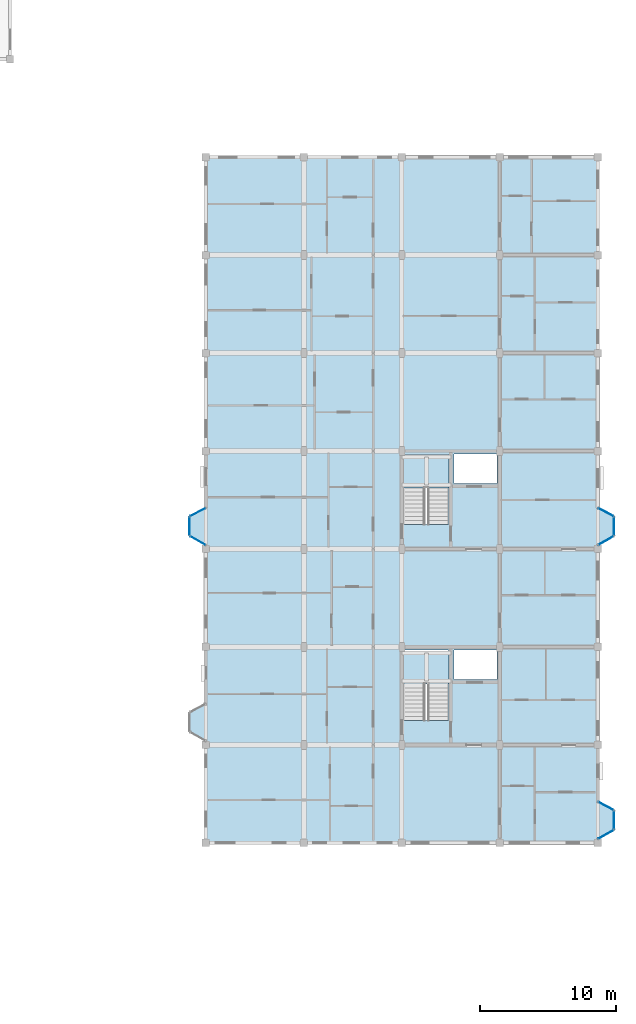
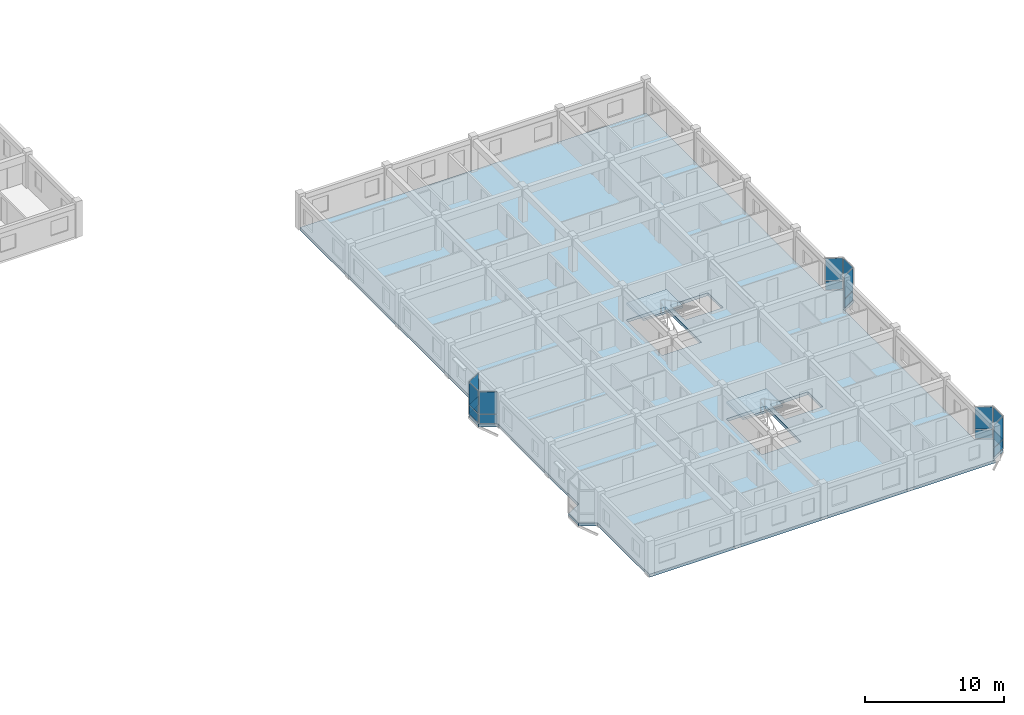
# One storey, part 48 of 77: 18 plates, 3 slabs, 11 elements without a shape of their own.
"""IFC4 building model written with IfcOpenShell, lengths in metres."""

from ifc_helpers import new_model, si_unit, direction, frame, origin, origin_2d, place, context, subcontext, project, spatial, polyline, rectangle, outline, extrude, material, layer, layer_set, type_object, element, aggregate, save


model = new_model("IFC4")

# Units and contexts
model_context = context("Model", 3, precision=1e-05, world=origin(), true_north=direction((0.0, 1.0)))
body_context = subcontext(model_context, "Body", "Model", "MODEL_VIEW")
ifc_project = project(units=[si_unit("LENGTHUNIT", "METRE"), si_unit("AREAUNIT", "SQUARE_METRE"), si_unit("VOLUMEUNIT", "CUBIC_METRE"), si_unit("PLANEANGLEUNIT", "RADIAN"), si_unit("MASSUNIT", "GRAM", prefix="KILO"), si_unit("THERMODYNAMICTEMPERATUREUNIT", "KELVIN"), si_unit("POWERUNIT", "WATT")], contexts=[model_context])

# Site, building, storey
site_placement = place(None, origin())
site = spatial("IfcSite", under=ifc_project, at=site_placement, CompositionType="ELEMENT")
building_placement = place(site_placement, origin())
building = spatial("IfcBuilding", under=site, at=building_placement, Name="Tavuni Mirador Residences", CompositionType="ELEMENT")
storey_placement = place(building_placement, frame((0.0, 0.0, 17.10009765625)))
storey = spatial("IfcBuildingStorey", under=building, at=storey_placement, Name="L05", CompositionType="ELEMENT", Elevation=17.10009765625)

# Curtain wall, plate
ifc_material_1 = material(Name="Anodised aluminium", Category="aluminium")
ifc_layer_1 = layer(ifc_material_1, 0.1650390625, Name="Anodised aluminium", Category="aluminium")
ifc_layer_set_1 = layer_set([ifc_layer_1], Name="Anodised aluminium")
curtain_wall_type_1 = type_object("IfcCurtainWallType", Name="CWT-MIR-A", PredefinedType="NOTDEFINED", material=ifc_layer_set_1)
curtain_wall_1_placement = place(storey_placement, origin())
curtain_wall_1 = element("IfcCurtainWall", 1, at=curtain_wall_1_placement, inside=storey, type_object=curtain_wall_type_1, Name="CW-MIR-D-E1-L05-M2", PredefinedType="NOTDEFINED")
ifc_material_2 = material(Name="Laminated solar-control glass", Category="glass")
ifc_layer_2 = layer(ifc_material_2, 0.02392578125, Name="Laminated solar-control glass", Category="glass")
ifc_layer_set_2 = layer_set([ifc_layer_2], Name="Laminated solar-control glass")
plate_type_1 = type_object("IfcPlateType", Name="CWP-GL24", PredefinedType="CURTAIN_PANEL", material=ifc_layer_set_2)
plate_1_placement = place(storey_placement, frame((119.39990234375, 89.10009765625, 0.8798828125), z_axis=(0.0, 0.0, 1.0), x_axis=(-0.882352941175, 0.470588235296, 0.0)))
plate_1 = element("IfcPlate", 2, at=plate_1_placement, type_object=plate_type_1, Name="CW-01 panel 1.2", PredefinedType="CURTAIN_PANEL", context=body_context, shape_type="SweptSolid", body=[
    extrude(rectangle(XDim=1.239990234375, YDim=0.02392578125, at=origin_2d()), origin(), (0.0, 0.0, 1.0), 1.949951171875),
])

curtain_wall_2_placement = place(storey_placement, origin())
curtain_wall_2 = element("IfcCurtainWall", 3, at=curtain_wall_2_placement, inside=storey, type_object=curtain_wall_type_1, Name="CW-MIR-D-W2-L05-M1", PredefinedType="NOTDEFINED")
plate_2_placement = place(storey_placement, frame((89.39990234375, 110.699951171875, 0.8798828125), z_axis=(0.0, 0.0, 1.0), x_axis=(-0.882352941175, -0.470588235296, 0.0)))
plate_2 = element("IfcPlate", 4, at=plate_2_placement, type_object=plate_type_1, Name="CW-01 panel 1.2", PredefinedType="CURTAIN_PANEL", context=body_context, shape_type="SweptSolid", body=[
    extrude(rectangle(XDim=1.239990234375, YDim=0.02392578125, at=origin_2d()), origin(), (0.0, 0.0, 1.0), 1.949951171875),
])

ifc_layer_3 = layer(ifc_material_1, 0.14990234375, Name="Anodised aluminium", Category="aluminium")
ifc_layer_set_3 = layer_set([ifc_layer_3], Name="Anodised aluminium")
curtain_wall_type_2 = type_object("IfcCurtainWallType", Name="CWT-MIR-B", PredefinedType="NOTDEFINED", material=ifc_layer_set_3)
curtain_wall_3_placement = place(storey_placement, origin())
curtain_wall_3 = element("IfcCurtainWall", 5, at=curtain_wall_3_placement, inside=storey, type_object=curtain_wall_type_2, Name="CW-MIR-D-E2-L05-M1", PredefinedType="NOTDEFINED")
ifc_layer_4 = layer(ifc_material_2, 0.028076171875, Name="Laminated solar-control glass", Category="glass")
ifc_layer_set_4 = layer_set([ifc_layer_4], Name="Laminated solar-control glass")
plate_type_2 = type_object("IfcPlateType", Name="CWP-GL28", PredefinedType="CURTAIN_PANEL", material=ifc_layer_set_4)
plate_3_placement = place(storey_placement, frame((119.39990234375, 108.617431640625, 0.882568359375), z_axis=(0.0, 0.0, 1.0), x_axis=(0.868465738194, 0.495749192217, 0.0)))
plate_3 = element("IfcPlate", 6, at=plate_3_placement, type_object=plate_type_2, Name="CW-02 panel 1.2", PredefinedType="CURTAIN_PANEL", context=body_context, shape_type="SweptSolid", body=[
    extrude(rectangle(XDim=1.251708984375, YDim=0.028076171875, at=origin_2d()), origin(), (0.0, 0.0, 1.0), 1.9423828125),
])

curtain_wall_4_placement = place(storey_placement, origin())
curtain_wall_4 = element("IfcCurtainWall", 7, at=curtain_wall_4_placement, inside=storey, type_object=curtain_wall_type_2, Name="CW-MIR-D-W2-L05-MF", PredefinedType="NOTDEFINED")
plate_4_placement = place(storey_placement, frame((88.800048828125, 109.669921875, 0.882568359375), z_axis=(0.0, 0.0, 1.0), x_axis=(0.0, -1.0, 0.0)))
plate_4 = element("IfcPlate", 8, at=plate_4_placement, type_object=plate_type_2, Name="CW-02 panel 1.2", PredefinedType="CURTAIN_PANEL", context=body_context, shape_type="SweptSolid", body=[
    extrude(rectangle(XDim=1.2900390625, YDim=0.028076171875, at=origin_2d()), origin(), (0.0, 0.0, 1.0), 1.9423828125),
])

ifc_layer_5 = layer(ifc_material_1, 0.175048828125, Name="Anodised aluminium", Category="aluminium")
ifc_layer_set_5 = layer_set([ifc_layer_5], Name="Anodised aluminium")
curtain_wall_type_3 = type_object("IfcCurtainWallType", Name="CWT-MIR-C", PredefinedType="NOTDEFINED", material=ifc_layer_set_5)
curtain_wall_5_placement = place(storey_placement, origin())
curtain_wall_5 = element("IfcCurtainWall", 9, at=curtain_wall_5_placement, inside=storey, type_object=curtain_wall_type_3, Name="CW-MIR-D-E1-L05-M1", PredefinedType="NOTDEFINED")
ifc_layer_6 = layer(ifc_material_2, 0.031982421875, Name="Laminated solar-control glass", Category="glass")
ifc_layer_set_6 = layer_set([ifc_layer_6], Name="Laminated solar-control glass")
plate_type_3 = type_object("IfcPlateType", Name="CWP-GL32", PredefinedType="CURTAIN_PANEL", material=ifc_layer_set_6)
plate_5_placement = place(storey_placement, frame((119.39990234375, 87.017578125, 0.8798828125), z_axis=(0.0, 0.0, 1.0), x_axis=(0.868465738194, 0.495749192217, 0.0)))
plate_5 = element("IfcPlate", 10, at=plate_5_placement, type_object=plate_type_3, Name="CW-03 panel 1.2", PredefinedType="CURTAIN_PANEL", context=body_context, shape_type="SweptSolid", body=[
    extrude(rectangle(XDim=1.26171875, YDim=0.031982421875, at=origin_2d()), origin(), (0.0, 0.0, 1.0), 1.949951171875),
])

curtain_wall_6_placement = place(storey_placement, origin())
curtain_wall_6 = element("IfcCurtainWall", 11, at=curtain_wall_6_placement, inside=storey, type_object=curtain_wall_type_3, Name="CW-MIR-D-E2-L05-MF", PredefinedType="NOTDEFINED")
plate_6_placement = place(storey_placement, frame((120.0, 109.669921875, 0.8798828125), z_axis=(0.0, 0.0, 1.0), x_axis=(0.0, 1.0, 0.0)))
plate_6 = element("IfcPlate", 12, at=plate_6_placement, type_object=plate_type_3, Name="CW-03 panel 1.2", PredefinedType="CURTAIN_PANEL", context=body_context, shape_type="SweptSolid", body=[
    extrude(rectangle(XDim=1.300048828125, YDim=0.031982421875, at=origin_2d()), origin(), (0.0, 0.0, 1.0), 1.949951171875),
])

curtain_wall_7_placement = place(storey_placement, origin())
curtain_wall_7 = element("IfcCurtainWall", 13, at=curtain_wall_7_placement, inside=storey, type_object=curtain_wall_type_3, Name="CW-MIR-D-W2-L05-M2", PredefinedType="NOTDEFINED")
plate_7_placement = place(storey_placement, frame((89.39990234375, 108.617431640625, 0.8798828125), z_axis=(0.0, 0.0, 1.0), x_axis=(0.868465738194, -0.495749192217, 0.0)))
plate_7 = element("IfcPlate", 14, at=plate_7_placement, type_object=plate_type_3, Name="CW-03 panel 1.2", PredefinedType="CURTAIN_PANEL", context=body_context, shape_type="SweptSolid", body=[
    extrude(rectangle(XDim=1.26171875, YDim=0.031982421875, at=origin_2d()), origin(), (0.0, 0.0, 1.0), 1.949951171875),
])

ifc_layer_7 = layer(ifc_material_1, 0.159912109375, Name="Anodised aluminium", Category="aluminium")
ifc_layer_set_7 = layer_set([ifc_layer_7], Name="Anodised aluminium")
curtain_wall_type_4 = type_object("IfcCurtainWallType", Name="CWT-MIR-D", PredefinedType="NOTDEFINED", material=ifc_layer_set_7)
curtain_wall_8_placement = place(storey_placement, origin())
curtain_wall_8 = element("IfcCurtainWall", 15, at=curtain_wall_8_placement, inside=storey, type_object=curtain_wall_type_4, Name="CW-MIR-D-E1-L05-MF", PredefinedType="NOTDEFINED")
ifc_layer_8 = layer(ifc_material_2, 0.035888671875, Name="Laminated solar-control glass", Category="glass")
ifc_layer_set_8 = layer_set([ifc_layer_8], Name="Laminated solar-control glass")
plate_type_4 = type_object("IfcPlateType", Name="CWP-GL36", PredefinedType="CURTAIN_PANEL", material=ifc_layer_set_8)
plate_8_placement = place(storey_placement, frame((120.0, 88.070068359375, 0.882568359375), z_axis=(0.0, 0.0, 1.0), x_axis=(0.0, 1.0, 0.0)))
plate_8 = element("IfcPlate", 16, at=plate_8_placement, type_object=plate_type_4, Name="CW-04 panel 1.2", PredefinedType="CURTAIN_PANEL", context=body_context, shape_type="SweptSolid", body=[
    extrude(rectangle(XDim=1.2900390625, YDim=0.035888671875, at=origin_2d()), origin(), (0.0, 0.0, 1.0), 1.9423828125),
])

curtain_wall_9_placement = place(storey_placement, origin())
curtain_wall_9 = element("IfcCurtainWall", 17, at=curtain_wall_9_placement, inside=storey, type_object=curtain_wall_type_4, Name="CW-MIR-D-E2-L05-M2", PredefinedType="NOTDEFINED")
plate_9_placement = place(storey_placement, frame((119.39990234375, 110.699951171875, 0.882568359375), z_axis=(0.0, 0.0, 1.0), x_axis=(-0.882352941175, 0.470588235296, 0.0)))
plate_9 = element("IfcPlate", 18, at=plate_9_placement, type_object=plate_type_4, Name="CW-04 panel 1.2", PredefinedType="CURTAIN_PANEL", context=body_context, shape_type="SweptSolid", body=[
    extrude(rectangle(XDim=1.22998046875, YDim=0.035888671875, at=origin_2d()), origin(), (0.0, 0.0, 1.0), 1.9423828125),
])

# Plate
ifc_material_3 = material(Name="Ceramic trencadis mosaic panel", Category="masonry")
ifc_layer_9 = layer(ifc_material_3, 0.0419921875, Name="Ceramic trencadis mosaic panel", Category="masonry")
ifc_layer_set_9 = layer_set([ifc_layer_9], Name="Ceramic trencadis mosaic panel")
plate_type_5 = type_object("IfcPlateType", Name="CWP-SP42", PredefinedType="CURTAIN_PANEL", material=ifc_layer_set_9)
plate_10_placement = place(storey_placement, frame((119.39990234375, 87.017578125, 0.06005859375), z_axis=(0.0, 0.0, 1.0), x_axis=(0.868465738194, 0.495749192217, 0.0)))
plate_10 = element("IfcPlate", 19, at=plate_10_placement, type_object=plate_type_5, Name="CW-03 panel 1.1", PredefinedType="CURTAIN_PANEL", context=body_context, shape_type="SweptSolid", body=[
    extrude(rectangle(XDim=1.26171875, YDim=0.0419921875, at=origin_2d()), origin(), (0.0, 0.0, 1.0), 0.760009765625),
])

aggregate(curtain_wall_5, [plate_10, plate_5])

plate_11_placement = place(storey_placement, frame((119.39990234375, 89.10009765625, 0.06005859375), z_axis=(0.0, 0.0, 1.0), x_axis=(-0.882352941175, 0.470588235296, 0.0)))
plate_11 = element("IfcPlate", 20, at=plate_11_placement, type_object=plate_type_5, Name="CW-01 panel 1.1", PredefinedType="CURTAIN_PANEL", context=body_context, shape_type="SweptSolid", body=[
    extrude(rectangle(XDim=1.239990234375, YDim=0.0419921875, at=origin_2d()), origin(), (0.0, 0.0, 1.0), 0.760009765625),
])

aggregate(curtain_wall_1, [plate_11, plate_1])

plate_12_placement = place(storey_placement, frame((120.0, 109.669921875, 0.06005859375), z_axis=(0.0, 0.0, 1.0), x_axis=(0.0, 1.0, 0.0)))
plate_12 = element("IfcPlate", 21, at=plate_12_placement, type_object=plate_type_5, Name="CW-03 panel 1.1", PredefinedType="CURTAIN_PANEL", context=body_context, shape_type="SweptSolid", body=[
    extrude(rectangle(XDim=1.300048828125, YDim=0.0419921875, at=origin_2d()), origin(), (0.0, 0.0, 1.0), 0.760009765625),
])

aggregate(curtain_wall_6, [plate_12, plate_6])

plate_13_placement = place(storey_placement, frame((89.39990234375, 110.699951171875, 0.06005859375), z_axis=(0.0, 0.0, 1.0), x_axis=(-0.882352941175, -0.470588235296, 0.0)))
plate_13 = element("IfcPlate", 22, at=plate_13_placement, type_object=plate_type_5, Name="CW-01 panel 1.1", PredefinedType="CURTAIN_PANEL", context=body_context, shape_type="SweptSolid", body=[
    extrude(rectangle(XDim=1.239990234375, YDim=0.0419921875, at=origin_2d()), origin(), (0.0, 0.0, 1.0), 0.760009765625),
])

aggregate(curtain_wall_2, [plate_13, plate_2])

plate_14_placement = place(storey_placement, frame((89.39990234375, 108.617431640625, 0.06005859375), z_axis=(0.0, 0.0, 1.0), x_axis=(0.868465738194, -0.495749192217, 0.0)))
plate_14 = element("IfcPlate", 23, at=plate_14_placement, type_object=plate_type_5, Name="CW-03 panel 1.1", PredefinedType="CURTAIN_PANEL", context=body_context, shape_type="SweptSolid", body=[
    extrude(rectangle(XDim=1.26171875, YDim=0.0419921875, at=origin_2d()), origin(), (0.0, 0.0, 1.0), 0.760009765625),
])

aggregate(curtain_wall_7, [plate_14, plate_7])

ifc_layer_10 = layer(ifc_material_3, 0.048095703125, Name="Ceramic trencadis mosaic panel", Category="masonry")
ifc_layer_set_10 = layer_set([ifc_layer_10], Name="Ceramic trencadis mosaic panel")
plate_type_6 = type_object("IfcPlateType", Name="CWP-SP48", PredefinedType="CURTAIN_PANEL", material=ifc_layer_set_10)
plate_15_placement = place(storey_placement, frame((120.0, 88.070068359375, 0.06494140625), z_axis=(0.0, 0.0, 1.0), x_axis=(0.0, 1.0, 0.0)))
plate_15 = element("IfcPlate", 24, at=plate_15_placement, type_object=plate_type_6, Name="CW-04 panel 1.1", PredefinedType="CURTAIN_PANEL", context=body_context, shape_type="SweptSolid", body=[
    extrude(rectangle(XDim=1.2900390625, YDim=0.048095703125, at=origin_2d()), origin(), (0.0, 0.0, 1.0), 0.75244140625),
])

aggregate(curtain_wall_8, [plate_15, plate_8])

plate_16_placement = place(storey_placement, frame((119.39990234375, 108.617431640625, 0.06494140625), z_axis=(0.0, 0.0, 1.0), x_axis=(0.868465738194, 0.495749192217, 0.0)))
plate_16 = element("IfcPlate", 25, at=plate_16_placement, type_object=plate_type_6, Name="CW-02 panel 1.1", PredefinedType="CURTAIN_PANEL", context=body_context, shape_type="SweptSolid", body=[
    extrude(rectangle(XDim=1.251708984375, YDim=0.048095703125, at=origin_2d()), origin(), (0.0, 0.0, 1.0), 0.75244140625),
])

aggregate(curtain_wall_3, [plate_16, plate_3])

plate_17_placement = place(storey_placement, frame((119.39990234375, 110.699951171875, 0.06494140625), z_axis=(0.0, 0.0, 1.0), x_axis=(-0.882352941175, 0.470588235296, 0.0)))
plate_17 = element("IfcPlate", 26, at=plate_17_placement, type_object=plate_type_6, Name="CW-04 panel 1.1", PredefinedType="CURTAIN_PANEL", context=body_context, shape_type="SweptSolid", body=[
    extrude(rectangle(XDim=1.22998046875, YDim=0.048095703125, at=origin_2d()), origin(), (0.0, 0.0, 1.0), 0.75244140625),
])

aggregate(curtain_wall_9, [plate_17, plate_9])

plate_18_placement = place(storey_placement, frame((88.800048828125, 109.669921875, 0.06494140625), z_axis=(0.0, 0.0, 1.0), x_axis=(0.0, -1.0, 0.0)))
plate_18 = element("IfcPlate", 27, at=plate_18_placement, type_object=plate_type_6, Name="CW-02 panel 1.1", PredefinedType="CURTAIN_PANEL", context=body_context, shape_type="SweptSolid", body=[
    extrude(rectangle(XDim=1.2900390625, YDim=0.048095703125, at=origin_2d()), origin(), (0.0, 0.0, 1.0), 0.75244140625),
])

aggregate(curtain_wall_4, [plate_18, plate_4])

# Slab
ifc_material_4 = material(Name="Prestressed concrete C45/55", Category="concrete")
ifc_layer_11 = layer(ifc_material_4, 0.260009765625, Name="Prestressed concrete C45/55", Category="concrete")
ifc_layer_set_11 = layer_set([ifc_layer_11], Name="Prestressed concrete C45/55")
slab_type_1 = type_object("IfcSlabType", Name="SLT-FLR260", PredefinedType="FLOOR", material=ifc_layer_set_11)
slab_1_placement = place(storey_placement, frame((0.0, 0.0, -0.260009765625)))
element("IfcSlab", 28, at=slab_1_placement, inside=storey, type_object=slab_type_1, Name="SLB-BLK-D-L05", PredefinedType="FLOOR", context=body_context, shape_type="SweptSolid", body=[
    extrude(outline(polyline([(90.0, 86.39990234375), (118.800048828125, 86.39990234375), (118.800048828125, 86.675048828125), (120.0, 87.360107421875), (120.0, 88.780029296875), (118.800048828125, 89.419921875), (118.800048828125, 108.27490234375), (120.0, 108.9599609375), (120.0, 110.3798828125), (118.800048828125, 111.02001953125), (118.800048828125, 136.800048828125), (90.0, 136.800048828125), (90.0, 111.02001953125), (88.800048828125, 110.3798828125), (88.800048828125, 108.9599609375), (90.0, 108.27490234375), (90.0, 96.6201171875), (88.800048828125, 95.97998046875), (88.800048828125, 94.56005859375), (90.0, 93.875), (90.0, 86.39990234375)]), holes=[polyline([(104.56005859375, 95.407958984375), (107.840087890625, 95.407958984375), (107.840087890625, 100.56005859375), (104.56005859375, 100.56005859375), (104.56005859375, 95.407958984375)]), polyline([(108.219970703125, 98.419921875), (111.3798828125, 98.419921875), (111.3798828125, 100.580078125), (108.219970703125, 100.580078125), (108.219970703125, 98.419921875)]), polyline([(104.56005859375, 109.80810546875), (107.840087890625, 109.80810546875), (107.840087890625, 114.9599609375), (104.56005859375, 114.9599609375), (104.56005859375, 109.80810546875)]), polyline([(108.219970703125, 112.820068359375), (111.3798828125, 112.820068359375), (111.3798828125, 114.97998046875), (108.219970703125, 114.97998046875), (108.219970703125, 112.820068359375)])]), origin(), (0.0, 0.0, 1.0), 0.260009765625),
])

# Stair, slab
ifc_material_5 = material(Name="Precast concrete C40/50", Category="concrete")
stair_type = type_object("IfcStairType", Name="STT-TYP", PredefinedType="HALF_TURN_STAIR", material=ifc_material_5)
stair_1_placement = place(storey_placement, origin())
stair_1 = element("IfcStair", 29, at=stair_1_placement, inside=storey, type_object=stair_type, Name="Protected exit stair ST7 (L05)", PredefinedType="HALF_TURN_STAIR")
ifc_layer_12 = layer(ifc_material_5, 0.179931640625, Name="Precast concrete C40/50", Category="concrete")
ifc_layer_set_12 = layer_set([ifc_layer_12], Name="Precast concrete C40/50")
slab_type_2 = type_object("IfcSlabType", Name="SLT-LND180", PredefinedType="LANDING", material=ifc_layer_set_12)
slab_2_placement = place(storey_placement, frame((0.0, 0.0, 1.39501953125)))
slab_2 = element("IfcSlab", 30, at=slab_2_placement, type_object=slab_type_2, Name="ST7 landing 1", PredefinedType="LANDING", context=body_context, shape_type="SweptSolid", body=[
    extrude(outline(polyline([(104.5400390625, 98.092041015625), (107.860107421875, 98.092041015625), (107.860107421875, 100.5), (104.5400390625, 100.5), (104.5400390625, 98.092041015625)])), origin(), (0.0, 0.0, 1.0), 0.179931640625),
])
aggregate(stair_1, [slab_2])

stair_2_placement = place(storey_placement, origin())
stair_2 = element("IfcStair", 31, at=stair_2_placement, inside=storey, type_object=stair_type, Name="Protected exit stair ST8 (L05)", PredefinedType="HALF_TURN_STAIR")
slab_3_placement = place(storey_placement, frame((0.0, 0.0, 1.39501953125)))
slab_3 = element("IfcSlab", 32, at=slab_3_placement, type_object=slab_type_2, Name="ST8 landing 1", PredefinedType="LANDING", context=body_context, shape_type="SweptSolid", body=[
    extrude(outline(polyline([(104.5400390625, 112.491943359375), (107.860107421875, 112.491943359375), (107.860107421875, 114.89990234375), (104.5400390625, 114.89990234375), (104.5400390625, 112.491943359375)])), origin(), (0.0, 0.0, 1.0), 0.179931640625),
])
aggregate(stair_2, [slab_3])

save(model, "model.ifc")
